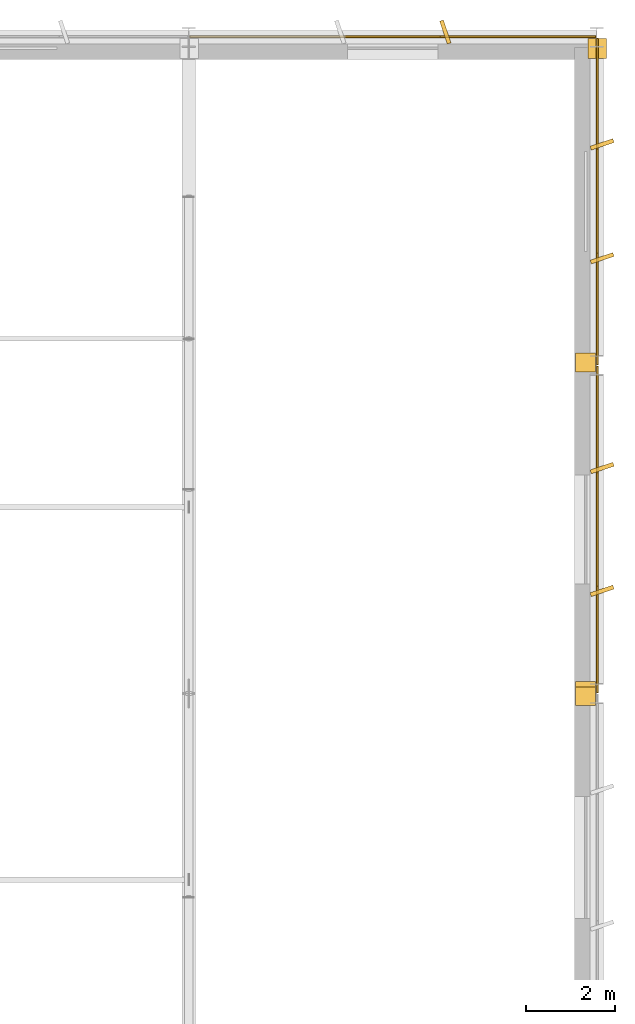
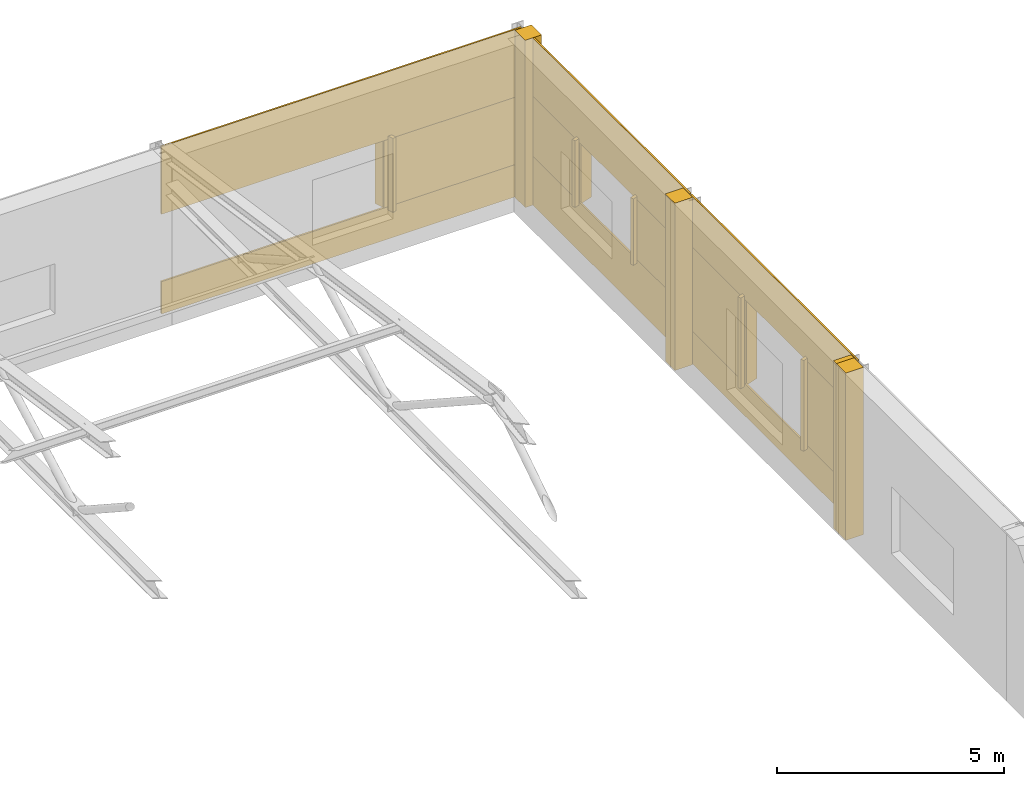
# One storey, part 75 of 75: 20 coverings.
"""IFC4 building model written with IfcOpenShell, lengths in metres."""

from ifc_helpers import new_model, si_unit, direction, frame, frame_2d, origin, origin_2d, place, context, subcontext, project, spatial, rectangle, extrude, material, layer, layer_set, type_object, element, save


model = new_model("IFC4")

# Units and contexts
model_context = context("Model", 3, precision=1e-05, world=origin(), true_north=direction((0.0, 1.0)))
body_context = subcontext(model_context, "Body", "Model", "MODEL_VIEW")
ifc_project = project(units=[si_unit("LENGTHUNIT", "METRE"), si_unit("AREAUNIT", "SQUARE_METRE"), si_unit("VOLUMEUNIT", "CUBIC_METRE"), si_unit("PLANEANGLEUNIT", "RADIAN"), si_unit("MASSUNIT", "GRAM", prefix="KILO")], contexts=[model_context])

# Site, building, storey
site_placement = place(None, origin())
site = spatial("IfcSite", under=ifc_project, at=site_placement, CompositionType="ELEMENT")
building_placement = place(site_placement, origin())
building = spatial("IfcBuilding", under=site, at=building_placement, Name="Valkorina Park Police Headquarters", CompositionType="ELEMENT")
storey_placement = place(building_placement, frame((0.0, 0.0, 5.39990234375)))
storey = spatial("IfcBuildingStorey", under=building, at=storey_placement, Name="L02", CompositionType="ELEMENT", Elevation=5.39990234375)

# Coverings
ifc_material = material(Name="Precast concrete C40/50", Category="concrete")
ifc_layer = layer(ifc_material, 0.044921875)
ifc_layer_set = layer_set([ifc_layer], Name="Precast concrete C40/50")
covering_type = type_object("IfcCoveringType", Name="COV-CLAD-DOLOMITE", PredefinedType="CLADDING", material=ifc_layer_set)
covering_1_placement = place(storey_placement, frame((162.010009765625, 110.75, 0.0), z_axis=(0.0, 0.0, 1.0), x_axis=(1.0, 0.0, 0.0)))
element("IfcCovering", 1, at=covering_1_placement, inside=storey, type_object=covering_type, Name="L02 Exterior Joint Closure Pilaster B 1398", PredefinedType="CLADDING", context=body_context, shape_type="SweptSolid", body=[
    extrude(rectangle(XDim=0.419921875, YDim=0.449951171875, at=origin_2d()), origin(), (0.0, 0.0, 1.0), 4.5),
])
covering_2_placement = place(storey_placement, frame((158.5849609375, 111.1201171875, 0.7802734375), z_axis=(0.0, 0.0, 1.0), x_axis=(-0.317304656405, 0.948323655206, 0.0)))
element("IfcCovering", 2, at=covering_2_placement, inside=storey, type_object=covering_type, Name="Slanted 18.5-deg Precast Window Slot Fin 1400", PredefinedType="CLADDING", context=body_context, shape_type="SweptSolid", body=[
    extrude(rectangle(XDim=0.5400390625, YDim=0.090087890625, at=origin_2d()), origin(), (0.0, 0.0, 1.0), 1.989990234375),
])
covering_3_placement = place(storey_placement, frame((152.820068359375, 111.014892578125, 0.0), z_axis=(0.0, 0.0, 1.0), x_axis=(1.0, 0.0, 0.0)))
element("IfcCovering", 3, at=covering_3_placement, inside=storey, type_object=covering_type, Name="L02 Calm Concrete Base Sill Spandrel 1401", PredefinedType="CLADDING", context=body_context, shape_type="SweptSolid", body=[
    extrude(rectangle(XDim=9.159912109375, YDim=0.044921875, at=frame_2d((4.580078125, 0.0))), origin(), (0.0, 0.0, 1.0), 0.8701171875),
])
covering_4_placement = place(storey_placement, frame((152.820068359375, 111.014892578125, 2.68017578125), z_axis=(0.0, 0.0, 1.0), x_axis=(1.0, 0.0, 0.0)))
element("IfcCovering", 4, at=covering_4_placement, inside=storey, type_object=covering_type, Name="L02 Calm Concrete Base Lintel Spandrel 1402", PredefinedType="CLADDING", context=body_context, shape_type="SweptSolid", body=[
    extrude(rectangle(XDim=9.159912109375, YDim=0.044921875, at=frame_2d((4.580078125, 0.0))), origin(), (0.0, 0.0, 1.0), 1.81982421875),
])
covering_5_placement = place(storey_placement, frame((158.47509765625, 111.014892578125, 0.8701171875), z_axis=(0.0, 0.0, 1.0), x_axis=(1.0, 0.0, 0.0)))
element("IfcCovering", 5, at=covering_5_placement, inside=storey, type_object=covering_type, Name="L02 Calm Concrete Base Slot Pier 1404", PredefinedType="CLADDING", context=body_context, shape_type="SweptSolid", body=[
    extrude(rectangle(XDim=3.5048828125, YDim=0.044921875, at=frame_2d((1.75244140625, 0.0))), origin(), (0.0, 0.0, 1.0), 1.81005859375),
])
covering_6_placement = place(storey_placement, frame((161.75, 103.6650390625, 0.0), z_axis=(0.0, 0.0, 1.0), x_axis=(0.0, 1.0, 0.0)))
element("IfcCovering", 6, at=covering_6_placement, inside=storey, type_object=covering_type, Name="L02 Exterior Joint Closure Pilaster B 1405", PredefinedType="CLADDING", context=body_context, shape_type="SweptSolid", body=[
    extrude(rectangle(XDim=0.419921875, YDim=0.449951171875, at=origin_2d()), origin(), (0.0, 0.0, 1.0), 4.5),
])
for number, where, z_axis, x_axis, name in (
    (7, (162.1201171875, 108.5849609375, 1.22998046875), (0.0, 0.0, 1.0), (0.948323655206, 0.317304656405, 0.0), "Slanted 18.5-deg Precast Window Slot Fin 1406"),
    (8, (162.1201171875, 106.014892578125, 1.22998046875), (0.0, 0.0, 1.0), (0.948323655206, 0.317304656405, 0.0), "Slanted 18.5-deg Precast Window Slot Fin 1407"),
):
    element("IfcCovering", number, at=place(storey_placement, frame(where, z_axis=z_axis, x_axis=x_axis)), inside=storey, type_object=covering_type, Name=name, PredefinedType="CLADDING", context=body_context, shape_type="SweptSolid", body=[
        extrude(rectangle(XDim=0.5400390625, YDim=0.090087890625, at=origin_2d()), origin(), (0.0, 0.0, 1.0), 1.7900390625),
    ])
covering_7_placement = place(storey_placement, frame((162.014892578125, 110.97998046875, 0.0), z_axis=(0.0, 0.0, 1.0), x_axis=(0.0, -1.0, 0.0)))
element("IfcCovering", 9, at=covering_7_placement, inside=storey, type_object=covering_type, Name="L02 Calm Concrete Base Sill Spandrel 1408", PredefinedType="CLADDING", context=body_context, shape_type="SweptSolid", body=[
    extrude(rectangle(XDim=7.35986328125, YDim=0.044921875, at=frame_2d((3.679931640625, 0.0))), origin(), (0.0, 0.0, 1.0), 1.320068359375),
])
covering_8_placement = place(storey_placement, frame((162.014892578125, 110.97998046875, 2.93017578125), z_axis=(0.0, 0.0, 1.0), x_axis=(0.0, -1.0, 0.0)))
element("IfcCovering", 10, at=covering_8_placement, inside=storey, type_object=covering_type, Name="L02 Calm Concrete Base Lintel Spandrel 1409", PredefinedType="CLADDING", context=body_context, shape_type="SweptSolid", body=[
    extrude(rectangle(XDim=7.35986328125, YDim=0.044921875, at=frame_2d((3.679931640625, 0.0))), origin(), (0.0, 0.0, 1.0), 1.56982421875),
])
for number, where, z_axis, x_axis, name in (
    (11, (162.014892578125, 110.97998046875, 1.320068359375), (0.0, 0.0, 1.0), (0.0, -1.0, 0.0), "L02 Calm Concrete Base Slot Pier 1410"),
    (12, (162.014892578125, 106.125, 1.320068359375), (0.0, 0.0, 1.0), (0.0, -1.0, 0.0), "L02 Calm Concrete Base Slot Pier 1411"),
):
    element("IfcCovering", number, at=place(storey_placement, frame(where, z_axis=z_axis, x_axis=x_axis)), inside=storey, type_object=covering_type, Name=name, PredefinedType="CLADDING", context=body_context, shape_type="SweptSolid", body=[
        extrude(rectangle(XDim=2.5048828125, YDim=0.044921875, at=frame_2d((1.25244140625, 0.0))), origin(), (0.0, 0.0, 1.0), 1.610107421875),
    ])
covering_9_placement = place(storey_placement, frame((161.75, 96.264892578125, 0.0), z_axis=(0.0, 0.0, 1.0), x_axis=(0.0, 1.0, 0.0)))
element("IfcCovering", 13, at=covering_9_placement, inside=storey, type_object=covering_type, Name="L02 Exterior Joint Closure Pilaster B 1412", PredefinedType="CLADDING", context=body_context, shape_type="SweptSolid", body=[
    extrude(rectangle(XDim=0.419921875, YDim=0.449951171875, at=origin_2d()), origin(), (0.0, 0.0, 1.0), 4.5),
])
for number, where, z_axis, x_axis, name in (
    (14, (162.1201171875, 101.284912109375, 0.780029296875), (0.0, 0.0, 1.0), (0.948323655206, 0.317304656405, 0.0), "Slanted 18.5-deg Precast Window Slot Fin 1413"),
    (15, (162.1201171875, 98.514892578125, 0.780029296875), (0.0, 0.0, 1.0), (0.948323655206, 0.317304656405, 0.0), "Slanted 18.5-deg Precast Window Slot Fin 1414"),
):
    element("IfcCovering", number, at=place(storey_placement, frame(where, z_axis=z_axis, x_axis=x_axis)), inside=storey, type_object=covering_type, Name=name, PredefinedType="CLADDING", context=body_context, shape_type="SweptSolid", body=[
        extrude(rectangle(XDim=0.5400390625, YDim=0.090087890625, at=origin_2d()), origin(), (0.0, 0.0, 1.0), 2.43994140625),
    ])
covering_10_placement = place(storey_placement, frame((162.014892578125, 103.580078125, 0.0), z_axis=(0.0, 0.0, 1.0), x_axis=(0.0, -1.0, 0.0)))
element("IfcCovering", 16, at=covering_10_placement, inside=storey, type_object=covering_type, Name="L02 Calm Concrete Base Sill Spandrel 1415", PredefinedType="CLADDING", context=body_context, shape_type="SweptSolid", body=[
    extrude(rectangle(XDim=7.360107421875, YDim=0.044921875, at=frame_2d((3.68017578125, 0.0))), origin(), (0.0, 0.0, 1.0), 0.8701171875),
])
covering_11_placement = place(storey_placement, frame((162.014892578125, 103.580078125, 3.130126953125), z_axis=(0.0, 0.0, 1.0), x_axis=(0.0, -1.0, 0.0)))
element("IfcCovering", 17, at=covering_11_placement, inside=storey, type_object=covering_type, Name="L02 Calm Concrete Base Lintel Spandrel 1416", PredefinedType="CLADDING", context=body_context, shape_type="SweptSolid", body=[
    extrude(rectangle(XDim=7.360107421875, YDim=0.044921875, at=frame_2d((3.68017578125, 0.0))), origin(), (0.0, 0.0, 1.0), 1.369873046875),
])
for number, where, z_axis, x_axis, name in (
    (18, (162.014892578125, 103.580078125, 0.8701171875), (0.0, 0.0, 1.0), (0.0, -1.0, 0.0), "L02 Calm Concrete Base Slot Pier 1417"),
    (19, (162.014892578125, 98.625, 0.8701171875), (0.0, 0.0, 1.0), (0.0, -1.0, 0.0), "L02 Calm Concrete Base Slot Pier 1418"),
):
    element("IfcCovering", number, at=place(storey_placement, frame(where, z_axis=z_axis, x_axis=x_axis)), inside=storey, type_object=covering_type, Name=name, PredefinedType="CLADDING", context=body_context, shape_type="SweptSolid", body=[
        extrude(rectangle(XDim=2.405029296875, YDim=0.044921875, at=frame_2d((1.20263671875, 0.0))), origin(), (0.0, 0.0, 1.0), 2.260009765625),
    ])
covering_12_placement = place(storey_placement, frame((161.75, 96.135009765625, 0.0), z_axis=(0.0, 0.0, 1.0), x_axis=(0.0, 1.0, 0.0)))
element("IfcCovering", 20, at=covering_12_placement, inside=storey, type_object=covering_type, Name="L02 Exterior Joint Closure Pilaster A 1419", PredefinedType="CLADDING", context=body_context, shape_type="SweptSolid", body=[
    extrude(rectangle(XDim=0.419921875, YDim=0.449951171875, at=origin_2d()), origin(), (0.0, 0.0, 1.0), 4.5),
])

save(model, "model.ifc")
